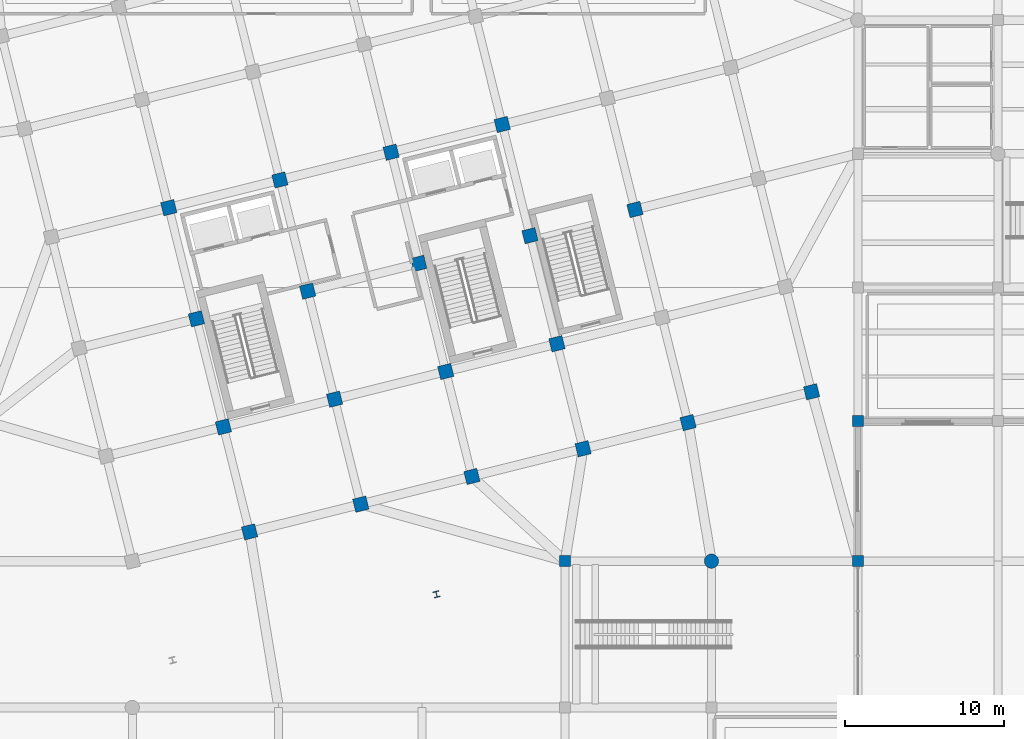
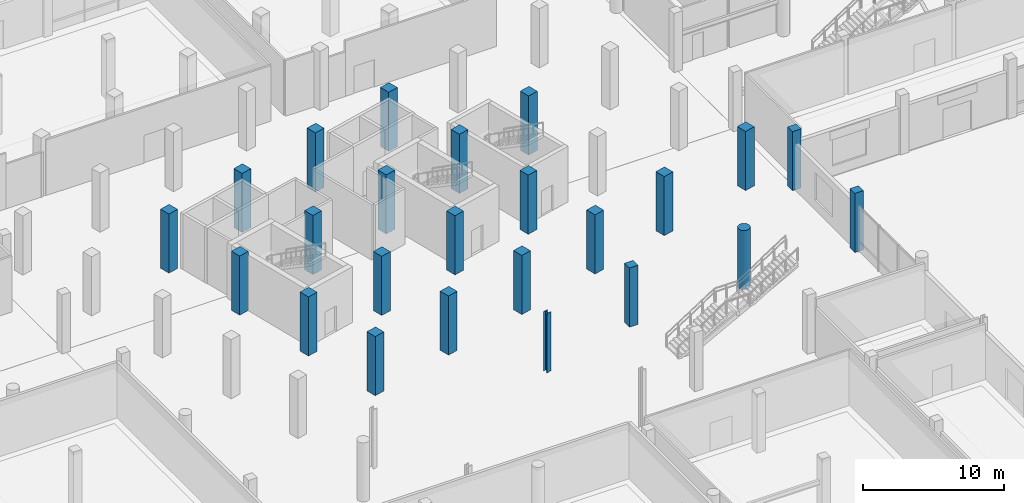
# One storey, part 5 of 73: 24 columns.
"""IFC4 building model written with IfcOpenShell, lengths in metres."""

from ifc_helpers import new_model, si_unit, direction, frame, origin, origin_2d, place, context, subcontext, project, spatial, rectangle, circle, i_section, extrude, material, material_profile, profile_set, type_object, element, save


model = new_model("IFC4")

# Units and contexts
model_context = context("Model", 3, precision=1e-05, world=origin(), true_north=direction((0.0, 1.0)))
body_context = subcontext(model_context, "Body", "Model", "MODEL_VIEW")
ifc_project = project(units=[si_unit("LENGTHUNIT", "METRE"), si_unit("AREAUNIT", "SQUARE_METRE"), si_unit("VOLUMEUNIT", "CUBIC_METRE"), si_unit("PLANEANGLEUNIT", "RADIAN"), si_unit("MASSUNIT", "GRAM", prefix="KILO")], contexts=[model_context])

# Site, building, storey
site_placement = place(None, origin())
site = spatial("IfcSite", under=ifc_project, at=site_placement, CompositionType="ELEMENT")
building_placement = place(site_placement, origin())
building = spatial("IfcBuilding", under=site, at=building_placement, Name="Meriwether Solvik Hall", CompositionType="ELEMENT")
storey_placement = place(building_placement, origin())
storey = spatial("IfcBuildingStorey", under=building, at=storey_placement, Name="L00", CompositionType="ELEMENT", Elevation=0.0)

# Columns
ifc_material_1 = material(Name="Concrete C40/50", Category="concrete")
ifc_material_profile_1 = material_profile(ifc_material_1, rectangle(XDim=0.699951171875, YDim=0.699951171875, at=origin_2d()), Name="RCC-700X700")
ifc_profile_set_1 = profile_set([ifc_material_profile_1], Name="Concrete C40/50")
column_type_1 = type_object("IfcColumnType", Name="COL-RC-700", PredefinedType="COLUMN", material=ifc_profile_set_1)
for number, where, z_axis, x_axis, name in (
    (1, (95.800048828125, 41.199951171875, 0.0), (0.0, 0.0, 1.0), (1.0, 0.0, 0.0), "Podium Column 11/E (L00)"),
    (2, (114.199951171875, 41.199951171875, 0.0), (0.0, 0.0, 1.0), (1.0, 0.0, 0.0), "Podium Column 13/E (L00)"),
    (3, (114.199951171875, 50.0, 0.0), (0.0, 0.0, 1.0), (1.0, 0.0, 0.0), "Podium Column 13/F (L00)"),
):
    element("IfcColumn", number, at=place(storey_placement, frame(where, z_axis=z_axis, x_axis=x_axis)), inside=storey, type_object=column_type_1, Name=name, PredefinedType="COLUMN", context=body_context, shape_type="SweptSolid", body=[
        extrude(rectangle(XDim=0.699951171875, YDim=0.699951171875, at=origin_2d()), origin(), (0.0, 0.0, 1.0), 5.10009765625),
    ])
ifc_material_2 = material(Name="Concrete C40/50", Category="concrete")
ifc_material_profile_2 = material_profile(ifc_material_2, rectangle(XDim=0.85009765625, YDim=0.85009765625, at=origin_2d()), Name="RCC-850X850")
ifc_profile_set_2 = profile_set([ifc_material_profile_2], Name="Concrete C40/50")
column_type_2 = type_object("IfcColumnType", Name="COL-RC-850", PredefinedType="COLUMN", material=ifc_profile_set_2)
for number, where, z_axis, x_axis, name in (
    (4, (75.974365234375, 43.03857421875, 0.0), (0.0, 0.0, 1.0), (0.970295726276, 0.2419218956, 0.0), "Tower Column T2/TA (L00)"),
    (5, (74.3291015625, 49.63671875, 0.0), (0.0, 0.0, 1.0), (0.970295726276, 0.2419218956, 0.0), "Tower Column T2/TB (L00)"),
    (6, (72.6357421875, 56.4287109375, 0.0), (0.0, 0.0, 1.0), (0.970295726276, 0.2419218956, 0.0), "Tower Column T2/TC (L00)"),
    (7, (70.893798828125, 63.414794921875, 0.0), (0.0, 0.0, 1.0), (0.970295726276, 0.2419218956, 0.0), "Tower Column T2/TD (L00)"),
    (8, (82.96044921875, 44.780517578125, 0.0), (0.0, 0.0, 1.0), (0.970295726276, 0.2419218956, 0.0), "Tower Column T3/TA (L00)"),
    (9, (81.3154296875, 51.37841796875, 0.0), (0.0, 0.0, 1.0), (0.970295726276, 0.2419218956, 0.0), "Tower Column T3/TB (L00)"),
    (10, (79.621826171875, 58.17041015625, 0.0), (0.0, 0.0, 1.0), (0.970295726276, 0.2419218956, 0.0), "Tower Column T3/TC (L00)"),
    (11, (77.880126953125, 65.15673828125, 0.0), (0.0, 0.0, 1.0), (0.970295726276, 0.2419218956, 0.0), "Tower Column T3/TD (L00)"),
    (12, (89.946533203125, 46.522216796875, 0.0), (0.0, 0.0, 1.0), (0.970295726276, 0.2419218956, 0.0), "Tower Column T4/TA (L00)"),
    (13, (88.301513671875, 53.120361328125, 0.0), (0.0, 0.0, 1.0), (0.970295726276, 0.2419218956, 0.0), "Tower Column T4/TB (L00)"),
    (14, (86.60791015625, 59.912353515625, 0.0), (0.0, 0.0, 1.0), (0.970295726276, 0.2419218956, 0.0), "Tower Column T4/TC (L00)"),
    (15, (84.8662109375, 66.8984375, 0.0), (0.0, 0.0, 1.0), (0.970295726276, 0.2419218956, 0.0), "Tower Column T4/TD (L00)"),
    (16, (96.9326171875, 48.26416015625, 0.0), (0.0, 0.0, 1.0), (0.970295726276, 0.2419218956, 0.0), "Tower Column T5/TA (L00)"),
    (17, (95.28759765625, 54.862060546875, 0.0), (0.0, 0.0, 1.0), (0.970295726276, 0.2419218956, 0.0), "Tower Column T5/TB (L00)"),
    (18, (93.593994140625, 61.654296875, 0.0), (0.0, 0.0, 1.0), (0.970295726276, 0.2419218956, 0.0), "Tower Column T5/TC (L00)"),
    (19, (91.852294921875, 68.640380859375, 0.0), (0.0, 0.0, 1.0), (0.970295726276, 0.2419218956, 0.0), "Tower Column T5/TD (L00)"),
    (20, (103.53076171875, 49.9091796875, 0.0), (0.0, 0.0, 1.0), (0.970295726276, 0.2419218956, 0.0), "Tower Column T6/TA (L00)"),
    (21, (100.192138671875, 63.29931640625, 0.0), (0.0, 0.0, 1.0), (0.970295726276, 0.2419218956, 0.0), "Tower Column T6/TC (L00)"),
    (22, (111.29296875, 51.844482421875, 0.0), (0.0, 0.0, 1.0), (0.970295726276, 0.2419218956, 0.0), "Tower Column T7/TA (L00)"),
):
    element("IfcColumn", number, at=place(storey_placement, frame(where, z_axis=z_axis, x_axis=x_axis)), inside=storey, type_object=column_type_2, Name=name, PredefinedType="COLUMN", context=body_context, shape_type="SweptSolid", body=[
        extrude(rectangle(XDim=0.85009765625, YDim=0.85009765625, at=origin_2d()), origin(), (0.0, 0.0, 1.0), 5.10009765625),
    ])
ifc_material_3 = material(Name="Concrete C40/50", Category="concrete")
ifc_material_profile_3 = material_profile(ifc_material_3, circle(Radius=0.449951171875, at=origin_2d()), Name="RCC-D900")
ifc_profile_set_3 = profile_set([ifc_material_profile_3], Name="Concrete C40/50")
column_type_3 = type_object("IfcColumnType", Name="COL-RC-D900", PredefinedType="COLUMN", material=ifc_profile_set_3)
column_1_placement = place(storey_placement, frame((105.0, 41.199951171875, 0.0), z_axis=(0.0, 0.0, 1.0), x_axis=(1.0, 0.0, 0.0)))
element("IfcColumn", 23, at=column_1_placement, inside=storey, type_object=column_type_3, Name="Podium Column 12/E (L00)", PredefinedType="COLUMN", context=body_context, shape_type="SweptSolid", body=[
    extrude(circle(Radius=0.449951171875, at=origin_2d()), origin(), (0.0, 0.0, 1.0), 5.10009765625),
])
ifc_material_4 = material(Name="Steel A992 Grade 50", Category="steel")
ifc_material_profile_4 = material_profile(ifc_material_4, i_section(OverallWidth=0.3740234375, OverallDepth=0.3720703125, WebThickness=0.016357421875, FlangeThickness=0.026123046875, at=origin_2d()), Name="W14X132")
ifc_profile_set_4 = profile_set([ifc_material_profile_4], Name="Steel A992 Grade 50")
column_type_4 = type_object("IfcColumnType", Name="COL-STL-W14X132", PredefinedType="COLUMN", material=ifc_profile_set_4)
column_2_placement = place(storey_placement, frame((87.72265625, 39.1142578125, 0.0), z_axis=(0.0, 0.0, 1.0), x_axis=(0.970295726276, 0.2419218956, 0.0)))
element("IfcColumn", 24, at=column_2_placement, inside=storey, type_object=column_type_4, Name="Atrium Cleft Corner Column NE (L00)", PredefinedType="COLUMN", context=body_context, shape_type="SweptSolid", body=[
    extrude(i_section(OverallWidth=0.3740234375, OverallDepth=0.3720703125, WebThickness=0.016357421875, FlangeThickness=0.026123046875, at=origin_2d()), origin(), (0.0, 0.0, 1.0), 5.10009765625),
])

save(model, "model.ifc")
